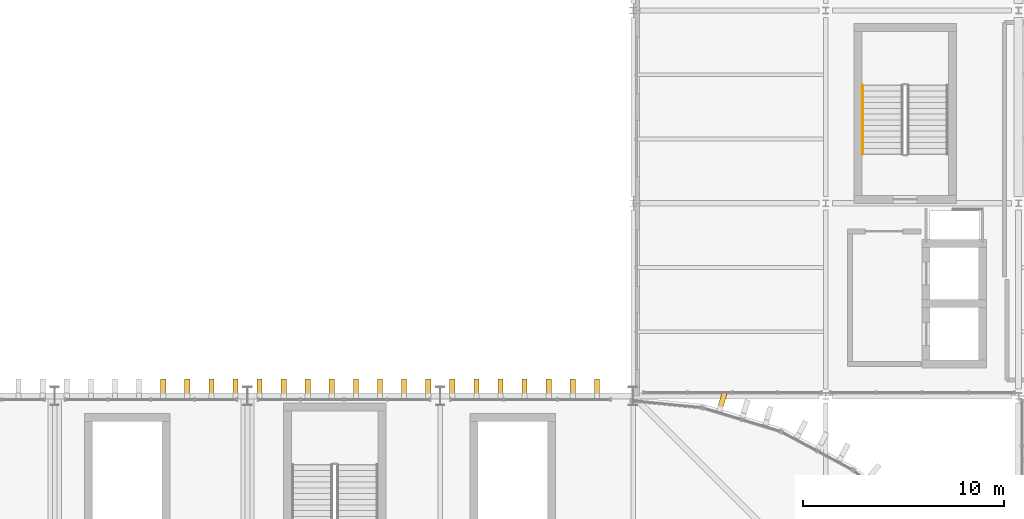
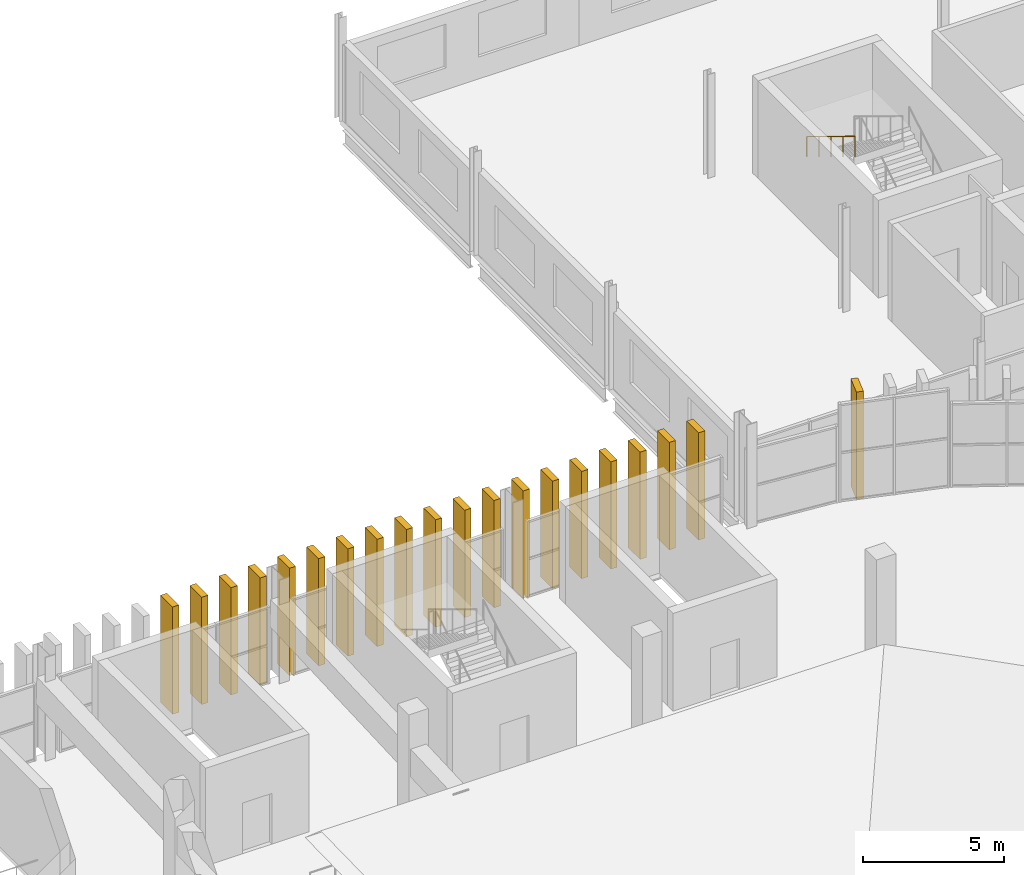
# One storey, part 68 of 69: 20 coverings, 1 railing.
"""IFC4 building model written with IfcOpenShell, lengths in metres."""

from ifc_helpers import new_model, si_unit, direction, frame, origin, origin_2d, place, context, subcontext, project, spatial, rectangle, circle, extrude, material, material_profile, profile_set, type_object, element, save


model = new_model("IFC4")

# Units and contexts
model_context = context("Model", 3, precision=1e-05, world=origin(), true_north=direction((0.0, 1.0)))
body_context = subcontext(model_context, "Body", "Model", "MODEL_VIEW")
ifc_project = project(units=[si_unit("LENGTHUNIT", "METRE"), si_unit("AREAUNIT", "SQUARE_METRE"), si_unit("VOLUMEUNIT", "CUBIC_METRE"), si_unit("PLANEANGLEUNIT", "RADIAN"), si_unit("MASSUNIT", "GRAM", prefix="KILO")], contexts=[model_context])

# Site, building, storey
site_placement = place(None, origin())
site = spatial("IfcSite", under=ifc_project, at=site_placement, CompositionType="ELEMENT")
building_placement = place(site_placement, origin())
building = spatial("IfcBuilding", under=site, at=building_placement, Name="Caelomonte Colonnade Arena", CompositionType="ELEMENT")
storey_placement = place(building_placement, frame((0.0, 0.0, 18.60009765625)))
storey = spatial("IfcBuildingStorey", under=building, at=storey_placement, Name="L04", CompositionType="ELEMENT", Elevation=18.60009765625)

# Coverings
ifc_material_1 = material(Name="Precast travertine cladding", Category="masonry")
ifc_material_profile = material_profile(ifc_material_1, rectangle(XDim=0.260009765625, YDim=0.85009765625, at=origin_2d()), Name="FIN260X850")
ifc_profile_set = profile_set([ifc_material_profile], Name="Precast travertine cladding")
covering_type = type_object("IfcCoveringType", Name="ENV-FN-SHAFT", PredefinedType="CLADDING", material=ifc_profile_set)
for number, where, z_axis, x_axis, name in (
    (1, (148.4404296875, 114.9501953125, -0.16015625), (0.0, 0.0, 1.0), (0.956942868907, -0.290276326364, 0.0), "V1 L04 classical travertine vertical fin 89"),
    (2, (142.199951171875, 115.62109375, -0.16015625), (0.0, 0.0, 1.0), (1.0, 0.0, 0.0), "V1 L04 classical travertine vertical fin 93"),
    (3, (141.0, 115.62109375, -0.16015625), (0.0, 0.0, 1.0), (1.0, 0.0, 0.0), "V1 L04 classical travertine vertical fin 94"),
    (4, (139.800048828125, 115.62109375, -0.16015625), (0.0, 0.0, 1.0), (1.0, 0.0, 0.0), "V1 L04 classical travertine vertical fin 95"),
    (5, (138.60009765625, 115.62109375, -0.16015625), (0.0, 0.0, 1.0), (1.0, 0.0, 0.0), "V1 L04 classical travertine vertical fin 96"),
    (6, (137.39990234375, 115.62109375, -0.16015625), (0.0, 0.0, 1.0), (1.0, 0.0, 0.0), "V1 L04 classical travertine vertical fin 97"),
    (7, (136.199951171875, 115.62109375, -0.16015625), (0.0, 0.0, 1.0), (1.0, 0.0, 0.0), "V1 L04 classical travertine vertical fin 98"),
    (8, (135.0, 115.62109375, -0.16015625), (0.0, 0.0, 1.0), (1.0, 0.0, 0.0), "V1 L04 classical travertine vertical fin 99"),
    (9, (133.800048828125, 115.62109375, -0.16015625), (0.0, 0.0, 1.0), (1.0, 0.0, 0.0), "V1 L04 classical travertine vertical fin 100"),
    (10, (132.60009765625, 115.62109375, -0.16015625), (0.0, 0.0, 1.0), (1.0, 0.0, 0.0), "V1 L04 classical travertine vertical fin 101"),
    (11, (131.39990234375, 115.62109375, -0.16015625), (0.0, 0.0, 1.0), (1.0, 0.0, 0.0), "V1 L04 classical travertine vertical fin 102"),
    (12, (130.199951171875, 115.62109375, -0.16015625), (0.0, 0.0, 1.0), (1.0, 0.0, 0.0), "V1 L04 classical travertine vertical fin 103"),
    (13, (129.0, 115.62109375, -0.16015625), (0.0, 0.0, 1.0), (1.0, 0.0, 0.0), "V1 L04 classical travertine vertical fin 104"),
    (14, (127.800048828125, 115.62109375, -0.16015625), (0.0, 0.0, 1.0), (1.0, 0.0, 0.0), "V1 L04 classical travertine vertical fin 105"),
    (15, (126.60009765625, 115.62109375, -0.16015625), (0.0, 0.0, 1.0), (1.0, 0.0, 0.0), "V1 L04 classical travertine vertical fin 106"),
    (16, (125.39990234375, 115.62109375, -0.16015625), (0.0, 0.0, 1.0), (1.0, 0.0, 0.0), "V1 L04 classical travertine vertical fin 107"),
    (17, (124.199951171875, 115.62109375, -0.16015625), (0.0, 0.0, 1.0), (1.0, 0.0, 0.0), "V1 L04 classical travertine vertical fin 108"),
    (18, (123.0, 115.62109375, -0.16015625), (0.0, 0.0, 1.0), (1.0, 0.0, 0.0), "V1 L04 classical travertine vertical fin 109"),
    (19, (121.800048828125, 115.62109375, -0.16015625), (0.0, 0.0, 1.0), (1.0, 0.0, 0.0), "V1 L04 classical travertine vertical fin 110"),
    (20, (120.60009765625, 115.62109375, -0.16015625), (0.0, 0.0, 1.0), (1.0, 0.0, 0.0), "V1 L04 classical travertine vertical fin 111"),
):
    element("IfcCovering", number, at=place(storey_placement, frame(where, z_axis=z_axis, x_axis=x_axis)), inside=storey, type_object=covering_type, Name=name, PredefinedType="CLADDING", context=body_context, shape_type="SweptSolid", body=[
        extrude(rectangle(XDim=0.260009765625, YDim=0.85009765625, at=origin_2d()), origin(), (0.0, 0.0, 1.0), 4.66015625),
    ])

# Railing
ifc_material_2 = material(Name="Brushed stainless steel stair handrail", Category="steel")
railing_type = type_object("IfcRailingType", Name="INT-RL-HR", PredefinedType="HANDRAIL", material=ifc_material_2)
railing_placement = place(storey_placement, frame((155.449951171875, 130.669921875, 2.423095703125)))
element("IfcRailing", 21, at=railing_placement, inside=storey, type_object=railing_type, Name="L04 ST-06 stair handrail 2", PredefinedType="HANDRAIL", context=body_context, shape_type="SweptSolid", body=[
    extrude(circle(Radius=0.02392578125, at=origin_2d()), frame((0.0, 0.0, 0.8759765625), z_axis=(0.0, -0.854729506542, 0.519073665916), x_axis=(1.0, 0.0, 0.0)), (0.0, 0.0, 1.0), 4.001220703125),
    extrude(circle(Radius=0.02099609375, at=origin_2d()), origin(), (0.0, 0.0, 1.0), 0.847900390625),
    extrude(circle(Radius=0.02099609375, at=origin_2d()), frame((0.0, -0.85498046875, 0.519287109375)), (0.0, 0.0, 1.0), 0.847900390625),
    extrude(circle(Radius=0.02099609375, at=origin_2d()), frame((0.0, -1.7099609375, 1.03857421875)), (0.0, 0.0, 1.0), 0.847900390625),
    extrude(circle(Radius=0.02099609375, at=origin_2d()), frame((0.0, -2.56494140625, 1.5576171875)), (0.0, 0.0, 1.0), 0.847900390625),
    extrude(circle(Radius=0.02099609375, at=origin_2d()), frame((0.0, -3.419921875, 2.076904296875)), (0.0, 0.0, 1.0), 0.847900390625),
])

save(model, "model.ifc")
